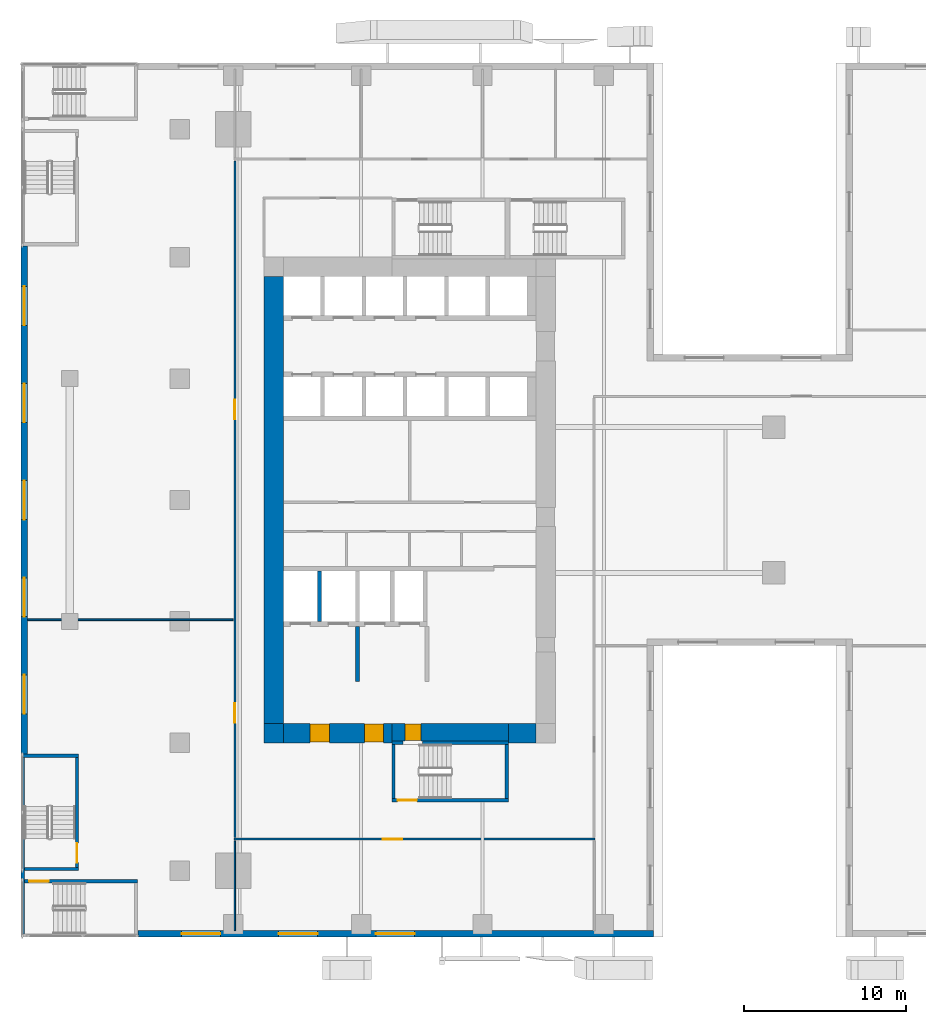
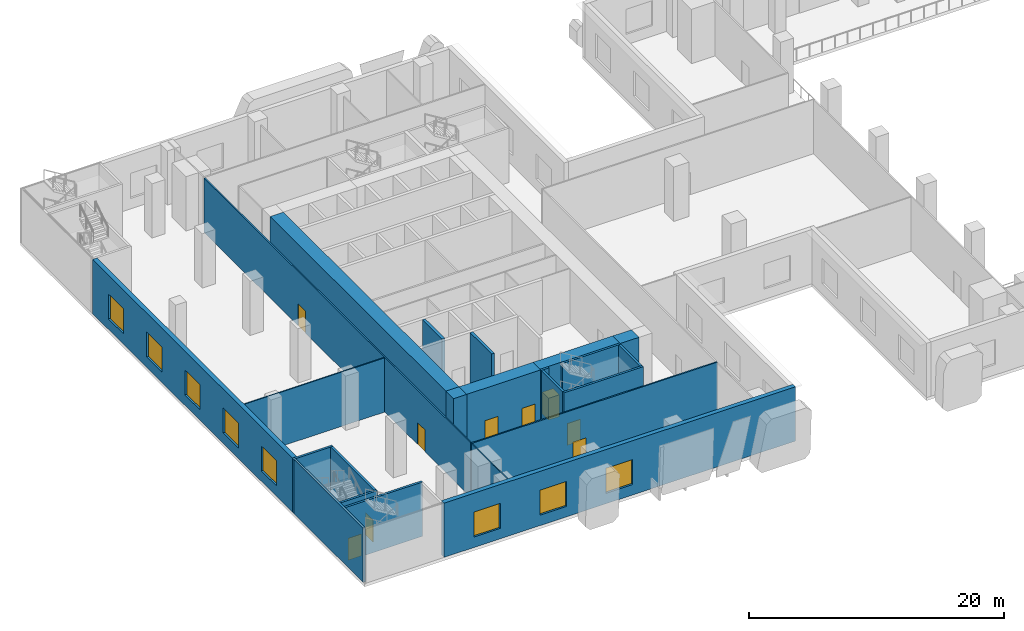
# One storey, part 10 of 23: 23 walls, 9 doors, 8 windows, 17 openings.
"""IFC4 building model written with IfcOpenShell, lengths in metres."""

from ifc_helpers import new_model, si_unit, direction, frame, frame_2d, origin, place, context, subcontext, project, spatial, rectangle, extrude, source, transform, mapped, material, layer, layer_set, type_object, element, fill, save


model = new_model("IFC4")

# Units and contexts
model_context = context("Model", 3, precision=1e-05, world=origin(), true_north=direction((0.0, 1.0)))
body_context = subcontext(model_context, "Body", "Model", "MODEL_VIEW")
ifc_project = project(units=[si_unit("LENGTHUNIT", "METRE"), si_unit("AREAUNIT", "SQUARE_METRE"), si_unit("VOLUMEUNIT", "CUBIC_METRE"), si_unit("PLANEANGLEUNIT", "RADIAN"), si_unit("MASSUNIT", "GRAM", prefix="KILO")], contexts=[model_context])

# Site, building, storey
site_placement = place(None, origin())
site = spatial("IfcSite", under=ifc_project, at=site_placement, CompositionType="ELEMENT")
building_placement = place(site_placement, origin())
building = spatial("IfcBuilding", under=site, at=building_placement, Name="Khomas Fold Tower", CompositionType="ELEMENT")
storey_placement = place(building_placement, frame((0.0, 0.0, 13.0)))
storey = spatial("IfcBuildingStorey", under=building, at=storey_placement, Name="L02", CompositionType="ELEMENT", Elevation=13.0)

# Wall, openings, doors
ifc_material_1 = material(Name="Concrete C70/85", Category="concrete")
ifc_layer_1 = layer(ifc_material_1, 1.199951171875)
ifc_layer_set_1 = layer_set([ifc_layer_1], Name="Concrete C70/85")
wall_type_1 = type_object("IfcWallType", Name="Core wall 1200", PredefinedType="SHEAR", material=ifc_layer_set_1)
shared_shape_1 = source(origin(), body_context, "Body", "SweptSolid", [
    extrude(rectangle(XDim=6.699951171875, YDim=1.199951171875, at=frame_2d((3.35009765625, 0.0))), origin(), (0.0, 0.0, 1.0), 5.199951171875),
])
wall_1_placement = place(storey_placement, frame((7.199951171875, 12.60009765625, 0.0), z_axis=(0.0, 0.0, 1.0), x_axis=(1.0, 0.0, 0.0)))
wall_1 = element("IfcWall", 1, at=wall_1_placement, inside=storey, type_object=wall_type_1, Name="Core wall CW-L-S-B2", PredefinedType="SHEAR", context=body_context, shape_type="MappedRepresentation", body=[
    mapped(shared_shape_1, transform((0.0, 0.0, 0.0))),
])
shared_shape_2 = source(origin(), body_context, "Body", "SweptSolid", [
    extrude(rectangle(XDim=1.199951171875, YDim=2.10009765625, at=frame_2d((0.60009765625, 1.050048828125))), frame((0.0, 0.60986328125, 0.0), z_axis=(0.0, -1.0, 0.0), x_axis=(1.0, 0.0, 0.0)), (0.0, 0.0, 1.0), 1.219970703125),
])
opening_1_placement = place(wall_1_placement, frame((5.0, 0.0, 0.0)))
opening_1 = element("IfcOpeningElement", 2, at=opening_1_placement, cuts=wall_1, Name="Opening 0009", PredefinedType="OPENING", context=body_context, shape_type="MappedRepresentation", body=[
    mapped(shared_shape_2, transform((0.0, 0.0, 0.0))),
])
opening_2_placement = place(wall_1_placement, frame((1.64990234375, 0.0, 0.0)))
opening_2 = element("IfcOpeningElement", 3, at=opening_2_placement, cuts=wall_1, Name="Opening 0009", PredefinedType="OPENING", context=body_context, shape_type="MappedRepresentation", body=[
    mapped(shared_shape_2, transform((0.0, 0.0, 0.0))),
])
ifc_material_2 = material(Name="Steel door leaf", Category="steel")
door_type_1 = type_object("IfcDoorType", Name="Lobby door 1200x2100 right-hand", OperationType="SINGLE_SWING_RIGHT", PredefinedType="DOOR", material=ifc_material_2)
shared_shape_3 = source(origin(), body_context, "Body", "SweptSolid", [
    extrude(rectangle(XDim=1.199951171875, YDim=2.10009765625, at=frame_2d((0.60009765625, 1.050048828125))), frame((0.0, 0.5498046875, 0.0), z_axis=(0.0, -1.0, 0.0), x_axis=(1.0, 0.0, 0.0)), (0.0, 0.0, 1.0), 1.099853515625),
])
door_1_placement = place(opening_1_placement, origin())
door_1 = element("IfcDoor", 4, at=door_1_placement, inside=storey, type_object=door_type_1, Name="Lobby door", OperationType="SINGLE_SWING_RIGHT", OverallHeight=2.10009765625, OverallWidth=1.199951171875, PredefinedType="DOOR", context=body_context, shape_type="MappedRepresentation", body=[
    mapped(shared_shape_3, transform((0.0, 0.0, 0.0))),
])
fill(opening_1, door_1)
door_2_placement = place(opening_2_placement, origin())
door_2 = element("IfcDoor", 5, at=door_2_placement, inside=storey, type_object=door_type_1, Name="Lobby door", OperationType="SINGLE_SWING_RIGHT", OverallHeight=2.10009765625, OverallWidth=1.199951171875, PredefinedType="DOOR", context=body_context, shape_type="MappedRepresentation", body=[
    mapped(shared_shape_3, transform((0.0, 0.0, 0.0))),
])
fill(opening_2, door_2)

# Wall
ifc_material_3 = material(Name="Concrete C70/85", Category="concrete")
ifc_layer_2 = layer(ifc_material_3, 1.199951171875)
ifc_layer_set_2 = layer_set([ifc_layer_2], Name="Concrete C70/85")
wall_type_2 = type_object("IfcWallType", Name="Core corner wall 1200", PredefinedType="SHEAR", material=ifc_layer_set_2)
shared_shape_4 = source(origin(), body_context, "Body", "SweptSolid", [
    extrude(rectangle(XDim=1.199951171875, YDim=1.199951171875, at=frame_2d((0.60009765625, 0.0))), origin(), (0.0, 0.0, 1.0), 5.199951171875),
])
wall_2_placement = place(storey_placement, frame((6.0, 12.60009765625, 0.0), z_axis=(0.0, 0.0, 1.0), x_axis=(1.0, 0.0, 0.0)))
element("IfcWall", 6, at=wall_2_placement, inside=storey, type_object=wall_type_2, Name="Core wall CW-L-SW-B2", PredefinedType="SHEAR", context=body_context, shape_type="MappedRepresentation", body=[
    mapped(shared_shape_4, transform((0.0, 0.0, 0.0))),
])

# Wall, opening, door
ifc_material_4 = material(Name="Concrete C70/85", Category="concrete")
ifc_layer_3 = layer(ifc_material_4, 1.10009765625)
ifc_layer_set_3 = layer_set([ifc_layer_3], Name="Concrete C70/85")
wall_type_3 = type_object("IfcWallType", Name="Core wall 1100", PredefinedType="SHEAR", material=ifc_layer_set_3)
shared_shape_5 = source(origin(), body_context, "Body", "SweptSolid", [
    extrude(rectangle(XDim=7.2001953125, YDim=1.10009765625, at=frame_2d((3.60009765625, 0.0))), origin(), (0.0, 0.0, 1.0), 5.199951171875),
])
wall_3_placement = place(storey_placement, frame((13.89990234375, 12.64990234375, 0.0), z_axis=(0.0, 0.0, 1.0), x_axis=(1.0, 0.0, 0.0)))
wall_3 = element("IfcWall", 7, at=wall_3_placement, inside=storey, type_object=wall_type_3, Name="Core wall CW-L-S-B2-1", PredefinedType="SHEAR", context=body_context, shape_type="MappedRepresentation", body=[
    mapped(shared_shape_5, transform((0.0, 0.0, 0.0))),
])
shared_shape_6 = source(origin(), body_context, "Body", "SweptSolid", [
    extrude(rectangle(XDim=1.0, YDim=2.10009765625, at=frame_2d((0.5, 1.050048828125))), frame((0.0, 0.56005859375, 0.0), z_axis=(0.0, -1.0, 0.0), x_axis=(1.0, 0.0, 0.0)), (0.0, 0.0, 1.0), 1.1201171875),
])
opening_3_placement = place(wall_3_placement, frame((0.800048828125, 0.0, 0.0)))
opening_3 = element("IfcOpeningElement", 8, at=opening_3_placement, cuts=wall_3, Name="Opening 0010", PredefinedType="OPENING", context=body_context, shape_type="MappedRepresentation", body=[
    mapped(shared_shape_6, transform((0.0, 0.0, 0.0))),
])
ifc_material_5 = material(Name="Steel door leaf", Category="steel")
door_type_2 = type_object("IfcDoorType", Name="Stair door 1000x2100 right-hand", OperationType="SINGLE_SWING_RIGHT", PredefinedType="DOOR", material=ifc_material_5)
shared_shape_7 = source(origin(), body_context, "Body", "SweptSolid", [
    extrude(rectangle(XDim=1.0, YDim=2.10009765625, at=frame_2d((0.5, 1.050048828125))), frame((0.0, 0.5, 0.0), z_axis=(0.0, -1.0, 0.0), x_axis=(1.0, 0.0, 0.0)), (0.0, 0.0, 1.0), 1.0),
])
door_3_placement = place(opening_3_placement, origin())
door_3 = element("IfcDoor", 9, at=door_3_placement, inside=storey, type_object=door_type_2, Name="Stair door", OperationType="SINGLE_SWING_RIGHT", OverallHeight=2.10009765625, OverallWidth=1.0, PredefinedType="DOOR", context=body_context, shape_type="MappedRepresentation", body=[
    mapped(shared_shape_7, transform((0.0, 0.0, 0.0))),
])
fill(opening_3, door_3)

# Walls
shared_shape_8 = source(origin(), body_context, "Body", "SweptSolid", [
    extrude(rectangle(XDim=1.699951171875, YDim=1.199951171875, at=frame_2d((0.85009765625, 0.0))), origin(), (0.0, 0.0, 1.0), 5.199951171875),
])
wall_4_placement = place(storey_placement, frame((21.10009765625, 12.60009765625, 0.0), z_axis=(0.0, 0.0, 1.0), x_axis=(1.0, 0.0, 0.0)))
element("IfcWall", 10, at=wall_4_placement, inside=storey, type_object=wall_type_1, Name="Core wall CW-L-S-B2-2", PredefinedType="SHEAR", context=body_context, shape_type="MappedRepresentation", body=[
    mapped(shared_shape_8, transform((0.0, 0.0, 0.0))),
])
shared_shape_9 = source(origin(), body_context, "Body", "SweptSolid", [
    extrude(rectangle(XDim=27.60009765625, YDim=1.199951171875, at=frame_2d((13.800048828125, 0.0))), origin(), (0.0, 0.0, 1.0), 5.199951171875),
])
wall_5_placement = place(storey_placement, frame((6.60009765625, 13.199951171875, 0.0), z_axis=(0.0, 0.0, 1.0), x_axis=(0.0, 1.0, 0.0)))
element("IfcWall", 11, at=wall_5_placement, inside=storey, type_object=wall_type_1, Name="Core wall CW-L-W-B2", PredefinedType="SHEAR", context=body_context, shape_type="MappedRepresentation", body=[
    mapped(shared_shape_9, transform((0.0, 0.0, 0.0))),
])

# Wall, opening, door
ifc_material_6 = material(Name="Concrete C30/37", Category="concrete")
ifc_layer_4 = layer(ifc_material_6, 0.199951171875)
ifc_layer_set_4 = layer_set([ifc_layer_4], Name="Concrete C30/37")
wall_type_4 = type_object("IfcWallType", Name="Stair wall PW5 200", PredefinedType="PARTITIONING", material=ifc_layer_set_4)
shared_shape_10 = source(origin(), body_context, "Body", "SweptSolid", [
    extrude(rectangle(XDim=7.0, YDim=0.199951171875, at=frame_2d((3.5, 0.0))), origin(), (0.0, 0.0, 1.0), 5.199951171875),
])
wall_6_placement = place(storey_placement, frame((-8.800048828125, 3.449951171875, 0.0), z_axis=(0.0, 0.0, 1.0), x_axis=(1.0, 0.0, 0.0)))
wall_6 = element("IfcWall", 12, at=wall_6_placement, inside=storey, type_object=wall_type_4, Name="Stair wall", PredefinedType="PARTITIONING", context=body_context, shape_type="MappedRepresentation", body=[
    mapped(shared_shape_10, transform((0.0, 0.0, 0.0))),
])
shared_shape_11 = source(origin(), body_context, "Body", "SweptSolid", [
    extrude(rectangle(XDim=1.199951171875, YDim=2.10009765625, at=frame_2d((0.60009765625, 1.050048828125))), frame((0.0, 0.10986328125, 0.0), z_axis=(0.0, -1.0, 0.0), x_axis=(1.0, 0.0, 0.0)), (0.0, 0.0, 1.0), 0.219970703125),
])
opening_4_placement = place(wall_6_placement, frame((0.300048828125, 0.0, 0.0)))
opening_4 = element("IfcOpeningElement", 13, at=opening_4_placement, cuts=wall_6, Name="Opening 0017", PredefinedType="OPENING", context=body_context, shape_type="MappedRepresentation", body=[
    mapped(shared_shape_11, transform((0.0, 0.0, 0.0))),
])
ifc_material_7 = material(Name="Steel door leaf", Category="steel")
door_type_3 = type_object("IfcDoorType", Name="Stair door 1200x2100 left-hand", OperationType="SINGLE_SWING_LEFT", PredefinedType="DOOR", material=ifc_material_7)
shared_shape_12 = source(origin(), body_context, "Body", "SweptSolid", [
    extrude(rectangle(XDim=1.199951171875, YDim=2.10009765625, at=frame_2d((0.60009765625, 1.050048828125))), frame((0.0, 0.02490234375, 0.0), z_axis=(0.0, -1.0, 0.0), x_axis=(1.0, 0.0, 0.0)), (0.0, 0.0, 1.0), 0.050048828125),
])
door_4_placement = place(opening_4_placement, origin())
door_4 = element("IfcDoor", 14, at=door_4_placement, inside=storey, type_object=door_type_3, Name="Stair door", OperationType="SINGLE_SWING_LEFT", OverallHeight=2.10009765625, OverallWidth=1.199951171875, PredefinedType="DOOR", context=body_context, shape_type="MappedRepresentation", body=[
    mapped(shared_shape_12, transform((0.0, 0.0, 0.0))),
])
fill(opening_4, door_4)

# Walls
ifc_material_8 = material(Name="Concrete C50/60", Category="concrete")
ifc_layer_5 = layer(ifc_material_8, 0.199951171875)
ifc_layer_set_5 = layer_set([ifc_layer_5], Name="Concrete C50/60")
wall_type_5 = type_object("IfcWallType", Name="Stair wall 200", PredefinedType="SHEAR", material=ifc_layer_set_5)
shared_shape_13 = source(origin(), body_context, "Body", "SweptSolid", [
    extrude(rectangle(XDim=0.7001953125, YDim=0.199951171875, at=frame_2d((0.35009765625, 0.0))), origin(), (0.0, 0.0, 1.0), 5.199951171875),
])
wall_7_placement = place(storey_placement, frame((13.89990234375, 12.0, 0.0), z_axis=(0.0, 0.0, 1.0), x_axis=(1.0, 0.0, 0.0)))
element("IfcWall", 15, at=wall_7_placement, inside=storey, type_object=wall_type_5, Name="Stair wall SW-ST2-N", PredefinedType="SHEAR", context=body_context, shape_type="MappedRepresentation", body=[
    mapped(shared_shape_13, transform((0.0, 0.0, 0.0))),
])
shared_shape_14 = source(origin(), body_context, "Body", "SweptSolid", [
    extrude(rectangle(XDim=5.300048828125, YDim=0.199951171875, at=frame_2d((2.64990234375, 0.0))), origin(), (0.0, 0.0, 1.0), 5.199951171875),
])
wall_8_placement = place(storey_placement, frame((15.800048828125, 12.0, 0.0), z_axis=(0.0, 0.0, 1.0), x_axis=(1.0, 0.0, 0.0)))
element("IfcWall", 16, at=wall_8_placement, inside=storey, type_object=wall_type_5, Name="Stair wall SW-ST2-NB", PredefinedType="SHEAR", context=body_context, shape_type="MappedRepresentation", body=[
    mapped(shared_shape_14, transform((0.0, 0.0, 0.0))),
])

# Wall, opening, door
shared_shape_15 = source(origin(), body_context, "Body", "SweptSolid", [
    extrude(rectangle(XDim=7.2001953125, YDim=0.199951171875, at=frame_2d((3.60009765625, 0.0))), origin(), (0.0, 0.0, 1.0), 5.199951171875),
])
wall_9_placement = place(storey_placement, frame((13.89990234375, 8.449951171875, 0.0), z_axis=(0.0, 0.0, 1.0), x_axis=(1.0, 0.0, 0.0)))
wall_9 = element("IfcWall", 17, at=wall_9_placement, inside=storey, type_object=wall_type_5, Name="Stair wall SW-ST2-S", PredefinedType="SHEAR", context=body_context, shape_type="MappedRepresentation", body=[
    mapped(shared_shape_15, transform((0.0, 0.0, 0.0))),
])
opening_5_placement = place(wall_9_placement, frame((0.35009765625, 0.0, 0.0)))
opening_5 = element("IfcOpeningElement", 18, at=opening_5_placement, cuts=wall_9, Name="Opening SD-ST2", PredefinedType="OPENING", context=body_context, shape_type="MappedRepresentation", body=[
    mapped(shared_shape_11, transform((0.0, 0.0, 0.0))),
])
ifc_material_9 = material(Name="Steel door leaf", Category="steel")
door_type_4 = type_object("IfcDoorType", Name="Stair door 1200x2100 right-hand", OperationType="SINGLE_SWING_RIGHT", PredefinedType="DOOR", material=ifc_material_9)
door_5_placement = place(opening_5_placement, origin())
door_5 = element("IfcDoor", 19, at=door_5_placement, inside=storey, type_object=door_type_4, Name="Stair door", OperationType="SINGLE_SWING_RIGHT", OverallHeight=2.10009765625, OverallWidth=1.199951171875, PredefinedType="DOOR", context=body_context, shape_type="MappedRepresentation", body=[
    mapped(shared_shape_12, transform((0.0, 0.0, 0.0))),
])
fill(opening_5, door_5)

# Walls
shared_shape_16 = source(origin(), body_context, "Body", "SweptSolid", [
    extrude(rectangle(XDim=3.349853515625, YDim=0.199951171875, at=frame_2d((1.6748046875, 0.0))), origin(), (0.0, 0.0, 1.0), 5.199951171875),
])
for number, where, z_axis, x_axis, name in (
    (20, (21.0, 8.550048828125, 0.0), (0.0, 0.0, 1.0), (0.0, 1.0, 0.0), "Stair wall SW-ST2-E"),
    (21, (14.0, 8.550048828125, 0.0), (0.0, 0.0, 1.0), (0.0, 1.0, 0.0), "Stair wall SW-ST2-W"),
):
    element("IfcWall", number, at=place(storey_placement, frame(where, z_axis=z_axis, x_axis=x_axis)), inside=storey, type_object=wall_type_5, Name=name, PredefinedType="SHEAR", context=body_context, shape_type="MappedRepresentation", body=[
        mapped(shared_shape_16, transform((0.0, 0.0, 0.0))),
    ])
ifc_material_10 = material(Name="Concrete C50/60", Category="concrete")
ifc_layer_6 = layer(ifc_material_10, 0.25)
ifc_layer_set_6 = layer_set([ifc_layer_6], Name="Concrete C50/60")
wall_type_6 = type_object("IfcWallType", Name="Shaft wall 250", PredefinedType="STANDARD", material=ifc_layer_set_6)
shared_shape_17 = source(origin(), body_context, "Body", "SweptSolid", [
    extrude(rectangle(XDim=3.10009765625, YDim=0.25, at=frame_2d((1.550048828125, 0.0))), origin(), (0.0, 0.0, 1.0), 5.199951171875),
])
wall_10_placement = place(storey_placement, frame((9.425048828125, 19.5, 0.0), z_axis=(0.0, 0.0, 1.0), x_axis=(0.0, 1.0, 0.0)))
element("IfcWall", 22, at=wall_10_placement, inside=storey, type_object=wall_type_6, Name="Core wall SW-FS-P1", PredefinedType="STANDARD", context=body_context, shape_type="MappedRepresentation", body=[
    mapped(shared_shape_17, transform((0.0, 0.0, 0.0))),
])
ifc_material_11 = material(Name="Concrete C50/60", Category="concrete")
ifc_layer_7 = layer(ifc_material_11, 0.25)
ifc_layer_set_7 = layer_set([ifc_layer_7], Name="Concrete C50/60")
wall_type_7 = type_object("IfcWallType", Name="Lobby wall 250", PredefinedType="STANDARD", material=ifc_layer_set_7)
shared_shape_18 = source(origin(), body_context, "Body", "SweptSolid", [
    extrude(rectangle(XDim=3.39990234375, YDim=0.25, at=frame_2d((1.699951171875, 0.0))), origin(), (0.0, 0.0, 1.0), 5.199951171875),
])
wall_11_placement = place(storey_placement, frame((11.77490234375, 15.800048828125, 0.0), z_axis=(0.0, 0.0, 1.0), x_axis=(0.0, 1.0, 0.0)))
element("IfcWall", 23, at=wall_11_placement, inside=storey, type_object=wall_type_7, Name="Core wall SW-FS-SEP", PredefinedType="STANDARD", context=body_context, shape_type="MappedRepresentation", body=[
    mapped(shared_shape_18, transform((0.0, 0.0, 0.0))),
])

# Wall, openings, windows
ifc_material_12 = material(Name="Concrete C40/50", Category="concrete")
ifc_layer_8 = layer(ifc_material_12, 0.39990234375)
ifc_layer_set_8 = layer_set([ifc_layer_8], Name="Concrete C40/50")
wall_type_8 = type_object("IfcWallType", Name="Stone-clad concrete wall 400", PredefinedType="SOLIDWALL", material=ifc_layer_set_8)
shared_shape_19 = source(origin(), body_context, "Body", "SweptSolid", [
    extrude(rectangle(XDim=31.3798828125, YDim=0.39990234375, at=frame_2d((15.68994140625, 0.0))), origin(), (0.0, 0.0, 1.0), 5.199951171875),
])
wall_12_placement = place(storey_placement, frame((-8.800048828125, 42.68994140625, 0.0), z_axis=(0.0, 0.0, 1.0), x_axis=(0.0, -1.0, 0.0)))
wall_12 = element("IfcWall", 24, at=wall_12_placement, inside=storey, type_object=wall_type_8, Name="Podium wall", PredefinedType="SOLIDWALL", context=body_context, shape_type="MappedRepresentation", body=[
    mapped(shared_shape_19, transform((0.0, 0.0, 0.0))),
])
shared_shape_20 = source(origin(), body_context, "Body", "SweptSolid", [
    extrude(rectangle(XDim=2.39990234375, YDim=2.39990234375, at=frame_2d((1.199951171875, 1.199951171875))), frame((0.0, 0.2099609375, 0.0), z_axis=(0.0, -1.0, 0.0), x_axis=(1.0, 0.0, 0.0)), (0.0, 0.0, 1.0), 0.419921875),
])
opening_6_placement = place(wall_12_placement, frame((2.5, 0.0, 1.0)))
opening_6 = element("IfcOpeningElement", 25, at=opening_6_placement, cuts=wall_12, Name="Opening PD-WN", PredefinedType="OPENING", context=body_context, shape_type="MappedRepresentation", body=[
    mapped(shared_shape_20, transform((0.0, 0.0, 0.0))),
])
opening_7_placement = place(wall_12_placement, frame((8.5, 0.0, 1.0)))
opening_7 = element("IfcOpeningElement", 26, at=opening_7_placement, cuts=wall_12, Name="Opening PD-WN", PredefinedType="OPENING", context=body_context, shape_type="MappedRepresentation", body=[
    mapped(shared_shape_20, transform((0.0, 0.0, 0.0))),
])
opening_8_placement = place(wall_12_placement, frame((14.5, 0.0, 1.0)))
opening_8 = element("IfcOpeningElement", 27, at=opening_8_placement, cuts=wall_12, Name="Opening PD-WN", PredefinedType="OPENING", context=body_context, shape_type="MappedRepresentation", body=[
    mapped(shared_shape_20, transform((0.0, 0.0, 0.0))),
])
opening_9_placement = place(wall_12_placement, frame((20.5, 0.0, 1.0)))
opening_9 = element("IfcOpeningElement", 28, at=opening_9_placement, cuts=wall_12, Name="Opening PD-WN", PredefinedType="OPENING", context=body_context, shape_type="MappedRepresentation", body=[
    mapped(shared_shape_20, transform((0.0, 0.0, 0.0))),
])
opening_10_placement = place(wall_12_placement, frame((26.5, 0.0, 1.0)))
opening_10 = element("IfcOpeningElement", 29, at=opening_10_placement, cuts=wall_12, Name="Opening PD-WN", PredefinedType="OPENING", context=body_context, shape_type="MappedRepresentation", body=[
    mapped(shared_shape_20, transform((0.0, 0.0, 0.0))),
])
ifc_material_13 = material(Name="Aluminium framed double glazing", Category="aluminium")
window_type = type_object("IfcWindowType", Name="Podium window 2400 x 2400", PartitioningType="SINGLE_PANEL", PredefinedType="WINDOW", material=ifc_material_13)
shared_shape_21 = source(origin(), body_context, "Body", "SweptSolid", [
    extrude(rectangle(XDim=2.39990234375, YDim=2.39990234375, at=frame_2d((1.199951171875, 1.199951171875))), frame((0.0, 0.030029296875, 0.0), z_axis=(0.0, -1.0, 0.0), x_axis=(1.0, 0.0, 0.0)), (0.0, 0.0, 1.0), 0.06005859375),
])
window_1_placement = place(opening_6_placement, origin())
window_1 = element("IfcWindow", 30, at=window_1_placement, inside=storey, type_object=window_type, Name="Podium window", OverallHeight=2.39990234375, OverallWidth=2.39990234375, PartitioningType="SINGLE_PANEL", PredefinedType="WINDOW", context=body_context, shape_type="MappedRepresentation", body=[
    mapped(shared_shape_21, transform((0.0, 0.0, 0.0))),
])
fill(opening_6, window_1)
window_2_placement = place(opening_7_placement, origin())
window_2 = element("IfcWindow", 31, at=window_2_placement, inside=storey, type_object=window_type, Name="Podium window", OverallHeight=2.39990234375, OverallWidth=2.39990234375, PartitioningType="SINGLE_PANEL", PredefinedType="WINDOW", context=body_context, shape_type="MappedRepresentation", body=[
    mapped(shared_shape_21, transform((0.0, 0.0, 0.0))),
])
fill(opening_7, window_2)
window_3_placement = place(opening_8_placement, origin())
window_3 = element("IfcWindow", 32, at=window_3_placement, inside=storey, type_object=window_type, Name="Podium window", OverallHeight=2.39990234375, OverallWidth=2.39990234375, PartitioningType="SINGLE_PANEL", PredefinedType="WINDOW", context=body_context, shape_type="MappedRepresentation", body=[
    mapped(shared_shape_21, transform((0.0, 0.0, 0.0))),
])
fill(opening_8, window_3)
window_4_placement = place(opening_9_placement, origin())
window_4 = element("IfcWindow", 33, at=window_4_placement, inside=storey, type_object=window_type, Name="Podium window", OverallHeight=2.39990234375, OverallWidth=2.39990234375, PartitioningType="SINGLE_PANEL", PredefinedType="WINDOW", context=body_context, shape_type="MappedRepresentation", body=[
    mapped(shared_shape_21, transform((0.0, 0.0, 0.0))),
])
fill(opening_9, window_4)
window_5_placement = place(opening_10_placement, origin())
window_5 = element("IfcWindow", 34, at=window_5_placement, inside=storey, type_object=window_type, Name="Podium window", OverallHeight=2.39990234375, OverallWidth=2.39990234375, PartitioningType="SINGLE_PANEL", PredefinedType="WINDOW", context=body_context, shape_type="MappedRepresentation", body=[
    mapped(shared_shape_21, transform((0.0, 0.0, 0.0))),
])
fill(opening_10, window_5)

shared_shape_22 = source(origin(), body_context, "Body", "SweptSolid", [
    extrude(rectangle(XDim=31.840087890625, YDim=0.39990234375, at=frame_2d((15.919921875, 0.0))), origin(), (0.0, 0.0, 1.0), 5.199951171875),
])
wall_13_placement = place(storey_placement, frame((-1.7900390625, 0.199951171875, 0.0), z_axis=(0.0, 0.0, 1.0), x_axis=(1.0, 0.0, 0.0)))
wall_13 = element("IfcWall", 35, at=wall_13_placement, inside=storey, type_object=wall_type_8, Name="Podium wall", PredefinedType="SOLIDWALL", context=body_context, shape_type="MappedRepresentation", body=[
    mapped(shared_shape_22, transform((0.0, 0.0, 0.0))),
])
opening_11_placement = place(wall_13_placement, frame((2.699951171875, 0.0, 1.0)))
opening_11 = element("IfcOpeningElement", 36, at=opening_11_placement, cuts=wall_13, Name="Opening PD-WN", PredefinedType="OPENING", context=body_context, shape_type="MappedRepresentation", body=[
    mapped(shared_shape_20, transform((0.0, 0.0, 0.0))),
])
opening_12_placement = place(wall_13_placement, frame((8.699951171875, 0.0, 1.0)))
opening_12 = element("IfcOpeningElement", 37, at=opening_12_placement, cuts=wall_13, Name="Opening PD-WN", PredefinedType="OPENING", context=body_context, shape_type="MappedRepresentation", body=[
    mapped(shared_shape_20, transform((0.0, 0.0, 0.0))),
])
opening_13_placement = place(wall_13_placement, frame((14.699951171875, 0.0, 1.0)))
opening_13 = element("IfcOpeningElement", 38, at=opening_13_placement, cuts=wall_13, Name="Opening PD-WN", PredefinedType="OPENING", context=body_context, shape_type="MappedRepresentation", body=[
    mapped(shared_shape_20, transform((0.0, 0.0, 0.0))),
])
window_6_placement = place(opening_11_placement, origin())
window_6 = element("IfcWindow", 39, at=window_6_placement, inside=storey, type_object=window_type, Name="Podium window", OverallHeight=2.39990234375, OverallWidth=2.39990234375, PartitioningType="SINGLE_PANEL", PredefinedType="WINDOW", context=body_context, shape_type="MappedRepresentation", body=[
    mapped(shared_shape_21, transform((0.0, 0.0, 0.0))),
])
fill(opening_11, window_6)
window_7_placement = place(opening_12_placement, origin())
window_7 = element("IfcWindow", 40, at=window_7_placement, inside=storey, type_object=window_type, Name="Podium window", OverallHeight=2.39990234375, OverallWidth=2.39990234375, PartitioningType="SINGLE_PANEL", PredefinedType="WINDOW", context=body_context, shape_type="MappedRepresentation", body=[
    mapped(shared_shape_21, transform((0.0, 0.0, 0.0))),
])
fill(opening_12, window_7)
window_8_placement = place(opening_13_placement, origin())
window_8 = element("IfcWindow", 41, at=window_8_placement, inside=storey, type_object=window_type, Name="Podium window", OverallHeight=2.39990234375, OverallWidth=2.39990234375, PartitioningType="SINGLE_PANEL", PredefinedType="WINDOW", context=body_context, shape_type="MappedRepresentation", body=[
    mapped(shared_shape_21, transform((0.0, 0.0, 0.0))),
])
fill(opening_13, window_8)

# Walls
shared_shape_23 = source(origin(), body_context, "Body", "SweptSolid", [
    extrude(rectangle(XDim=10.900146484375, YDim=0.199951171875, at=frame_2d((5.4501953125, 0.0))), origin(), (0.0, 0.0, 1.0), 5.199951171875),
])
wall_14_placement = place(storey_placement, frame((-8.89990234375, 0.199951171875, 0.0), z_axis=(0.0, 0.0, 1.0), x_axis=(0.0, 1.0, 0.0)))
element("IfcWall", 42, at=wall_14_placement, inside=storey, type_object=wall_type_4, Name="Stair wall", PredefinedType="PARTITIONING", context=body_context, shape_type="MappedRepresentation", body=[
    mapped(shared_shape_23, transform((0.0, 0.0, 0.0))),
])
shared_shape_24 = source(origin(), body_context, "Body", "SweptSolid", [
    extrude(rectangle(XDim=3.35009765625, YDim=0.199951171875, at=frame_2d((1.675048828125, 0.0))), origin(), (0.0, 0.0, 1.0), 5.199951171875),
])
wall_15_placement = place(storey_placement, frame((-8.800048828125, 4.199951171875, 0.0), z_axis=(0.0, 0.0, 1.0), x_axis=(1.0, 0.0, 0.0)))
element("IfcWall", 43, at=wall_15_placement, inside=storey, type_object=wall_type_4, Name="Stair wall", PredefinedType="PARTITIONING", context=body_context, shape_type="MappedRepresentation", body=[
    mapped(shared_shape_24, transform((0.0, 0.0, 0.0))),
])
shared_shape_25 = source(origin(), body_context, "Body", "SweptSolid", [
    extrude(rectangle(XDim=3.550048828125, YDim=0.199951171875, at=frame_2d((1.77490234375, 0.0))), origin(), (0.0, 0.0, 1.0), 5.199951171875),
])
wall_16_placement = place(storey_placement, frame((-9.0, 11.199951171875, 0.0), z_axis=(0.0, 0.0, 1.0), x_axis=(1.0, 0.0, 0.0)))
element("IfcWall", 44, at=wall_16_placement, inside=storey, type_object=wall_type_4, Name="Stair wall", PredefinedType="PARTITIONING", context=body_context, shape_type="MappedRepresentation", body=[
    mapped(shared_shape_25, transform((0.0, 0.0, 0.0))),
])

# Wall, opening, door
shared_shape_26 = source(origin(), body_context, "Body", "SweptSolid", [
    extrude(rectangle(XDim=6.800048828125, YDim=0.199951171875, at=frame_2d((3.39990234375, 0.0))), origin(), (0.0, 0.0, 1.0), 5.199951171875),
])
wall_17_placement = place(storey_placement, frame((-5.550048828125, 4.300048828125, 0.0), z_axis=(0.0, 0.0, 1.0), x_axis=(0.0, 1.0, 0.0)))
wall_17 = element("IfcWall", 45, at=wall_17_placement, inside=storey, type_object=wall_type_4, Name="Stair wall", PredefinedType="PARTITIONING", context=body_context, shape_type="MappedRepresentation", body=[
    mapped(shared_shape_26, transform((0.0, 0.0, 0.0))),
])
opening_14_placement = place(wall_17_placement, frame((0.300048828125, 0.0, 0.0)))
opening_14 = element("IfcOpeningElement", 46, at=opening_14_placement, cuts=wall_17, Name="Opening 0017", PredefinedType="OPENING", context=body_context, shape_type="MappedRepresentation", body=[
    mapped(shared_shape_11, transform((0.0, 0.0, 0.0))),
])
door_6_placement = place(opening_14_placement, origin())
door_6 = element("IfcDoor", 47, at=door_6_placement, inside=storey, type_object=door_type_3, Name="Stair door", OperationType="SINGLE_SWING_LEFT", OverallHeight=2.10009765625, OverallWidth=1.199951171875, PredefinedType="DOOR", context=body_context, shape_type="MappedRepresentation", body=[
    mapped(shared_shape_12, transform((0.0, 0.0, 0.0))),
])
fill(opening_14, door_6)

# Wall
ifc_material_14 = material(Name="Plasterboard partition")
ifc_layer_9 = layer(ifc_material_14, 0.10009765625)
ifc_layer_set_9 = layer_set([ifc_layer_9], Name="Plasterboard partition")
wall_type_9 = type_object("IfcWallType", Name="Partition PW1 100", PredefinedType="PARTITIONING", material=ifc_layer_set_9)
shared_shape_27 = source(origin(), body_context, "Body", "SweptSolid", [
    extrude(rectangle(XDim=5.550048828125, YDim=0.10009765625, at=frame_2d((2.77490234375, 0.0))), origin(), (0.0, 0.0, 1.0), 5.199951171875),
])
wall_18_placement = place(storey_placement, frame((4.199951171875, 0.39990234375, 0.0), z_axis=(0.0, 0.0, 1.0), x_axis=(0.0, 1.0, 0.0)))
element("IfcWall", 48, at=wall_18_placement, inside=storey, type_object=wall_type_9, Name="Partition", PredefinedType="PARTITIONING", context=body_context, shape_type="MappedRepresentation", body=[
    mapped(shared_shape_27, transform((0.0, 0.0, 0.0))),
])

# Wall, opening, door
ifc_material_15 = material(Name="Plasterboard partition")
ifc_layer_10 = layer(ifc_material_15, 0.125)
ifc_layer_set_10 = layer_set([ifc_layer_10], Name="Plasterboard partition")
wall_type_10 = type_object("IfcWallType", Name="Partition PW2 125", PredefinedType="PARTITIONING", material=ifc_layer_set_10)
shared_shape_28 = source(origin(), body_context, "Body", "SweptSolid", [
    extrude(rectangle(XDim=22.300048828125, YDim=0.125, at=frame_2d((11.14990234375, 0.0))), origin(), (0.0, 0.0, 1.0), 5.199951171875),
])
wall_19_placement = place(storey_placement, frame((4.14990234375, 6.050048828125, 0.0), z_axis=(0.0, 0.0, 1.0), x_axis=(1.0, 0.0, 0.0)))
wall_19 = element("IfcWall", 49, at=wall_19_placement, inside=storey, type_object=wall_type_10, Name="Partition", PredefinedType="PARTITIONING", context=body_context, shape_type="MappedRepresentation", body=[
    mapped(shared_shape_28, transform((0.0, 0.0, 0.0))),
])
shared_shape_29 = source(origin(), body_context, "Body", "SweptSolid", [
    extrude(rectangle(XDim=1.199951171875, YDim=2.10009765625, at=frame_2d((0.60009765625, 1.050048828125))), frame((0.0, 0.072509765625, 0.0), z_axis=(0.0, -1.0, 0.0), x_axis=(1.0, 0.0, 0.0)), (0.0, 0.0, 1.0), 0.14501953125),
])
opening_15_placement = place(wall_19_placement, frame((9.199951171875, 0.0, 0.0)))
opening_15 = element("IfcOpeningElement", 50, at=opening_15_placement, cuts=wall_19, Name="Opening 0013", PredefinedType="OPENING", context=body_context, shape_type="MappedRepresentation", body=[
    mapped(shared_shape_29, transform((0.0, 0.0, 0.0))),
])
ifc_material_16 = material(Name="Timber door leaf", Category="wood")
door_type_5 = type_object("IfcDoorType", Name="Door 1200x2100 left-hand", OperationType="SINGLE_SWING_LEFT", PredefinedType="DOOR", material=ifc_material_16)
door_7_placement = place(opening_15_placement, origin())
door_7 = element("IfcDoor", 51, at=door_7_placement, inside=storey, type_object=door_type_5, Name="Door", OperationType="SINGLE_SWING_LEFT", OverallHeight=2.10009765625, OverallWidth=1.199951171875, PredefinedType="DOOR", context=body_context, shape_type="MappedRepresentation", body=[
    mapped(shared_shape_12, transform((0.0, 0.0, 0.0))),
])
fill(opening_15, door_7)

# Wall, openings, doors
shared_shape_30 = source(origin(), body_context, "Body", "SweptSolid", [
    extrude(rectangle(XDim=41.800048828125, YDim=0.125, at=frame_2d((20.89990234375, 0.0))), origin(), (0.0, 0.0, 1.0), 5.199951171875),
])
wall_20_placement = place(storey_placement, frame((4.199951171875, 6.14990234375, 0.0), z_axis=(0.0, 0.0, 1.0), x_axis=(0.0, 1.0, 0.0)))
wall_20 = element("IfcWall", 52, at=wall_20_placement, inside=storey, type_object=wall_type_10, Name="Partition", PredefinedType="PARTITIONING", context=body_context, shape_type="MappedRepresentation", body=[
    mapped(shared_shape_30, transform((0.0, 0.0, 0.0))),
])
opening_16_placement = place(wall_20_placement, frame((7.10009765625, 0.0, 0.0)))
opening_16 = element("IfcOpeningElement", 53, at=opening_16_placement, cuts=wall_20, Name="Opening 0001", PredefinedType="OPENING", context=body_context, shape_type="MappedRepresentation", body=[
    mapped(shared_shape_29, transform((0.0, 0.0, 0.0))),
])
opening_17_placement = place(wall_20_placement, frame((25.85009765625, 0.0, 0.0)))
opening_17 = element("IfcOpeningElement", 54, at=opening_17_placement, cuts=wall_20, Name="Opening 0013", PredefinedType="OPENING", context=body_context, shape_type="MappedRepresentation", body=[
    mapped(shared_shape_29, transform((0.0, 0.0, 0.0))),
])
ifc_material_17 = material(Name="Timber door leaf", Category="wood")
door_type_6 = type_object("IfcDoorType", Name="Door 1200x2100 right-hand", OperationType="SINGLE_SWING_RIGHT", PredefinedType="DOOR", material=ifc_material_17)
door_8_placement = place(opening_16_placement, origin())
door_8 = element("IfcDoor", 55, at=door_8_placement, inside=storey, type_object=door_type_6, Name="Door", OperationType="SINGLE_SWING_RIGHT", OverallHeight=2.10009765625, OverallWidth=1.199951171875, PredefinedType="DOOR", context=body_context, shape_type="MappedRepresentation", body=[
    mapped(shared_shape_12, transform((0.0, 0.0, 0.0))),
])
fill(opening_16, door_8)
door_9_placement = place(opening_17_placement, origin())
door_9 = element("IfcDoor", 56, at=door_9_placement, inside=storey, type_object=door_type_5, Name="Door", OperationType="SINGLE_SWING_LEFT", OverallHeight=2.10009765625, OverallWidth=1.199951171875, PredefinedType="DOOR", context=body_context, shape_type="MappedRepresentation", body=[
    mapped(shared_shape_12, transform((0.0, 0.0, 0.0))),
])
fill(opening_17, door_9)

# Wall
shared_shape_31 = source(origin(), body_context, "Body", "SweptSolid", [
    extrude(rectangle(XDim=12.7001953125, YDim=0.10009765625, at=frame_2d((6.35009765625, 0.0))), origin(), (0.0, 0.0, 1.0), 5.199951171875),
])
wall_21_placement = place(storey_placement, frame((-8.60009765625, 19.60009765625, 0.0), z_axis=(0.0, 0.0, 1.0), x_axis=(1.0, 0.0, 0.0)))
element("IfcWall", 57, at=wall_21_placement, inside=storey, type_object=wall_type_9, Name="Partition", PredefinedType="PARTITIONING", context=body_context, shape_type="MappedRepresentation", body=[
    mapped(shared_shape_31, transform((0.0, 0.0, 0.0))),
])

save(model, "model.ifc")
